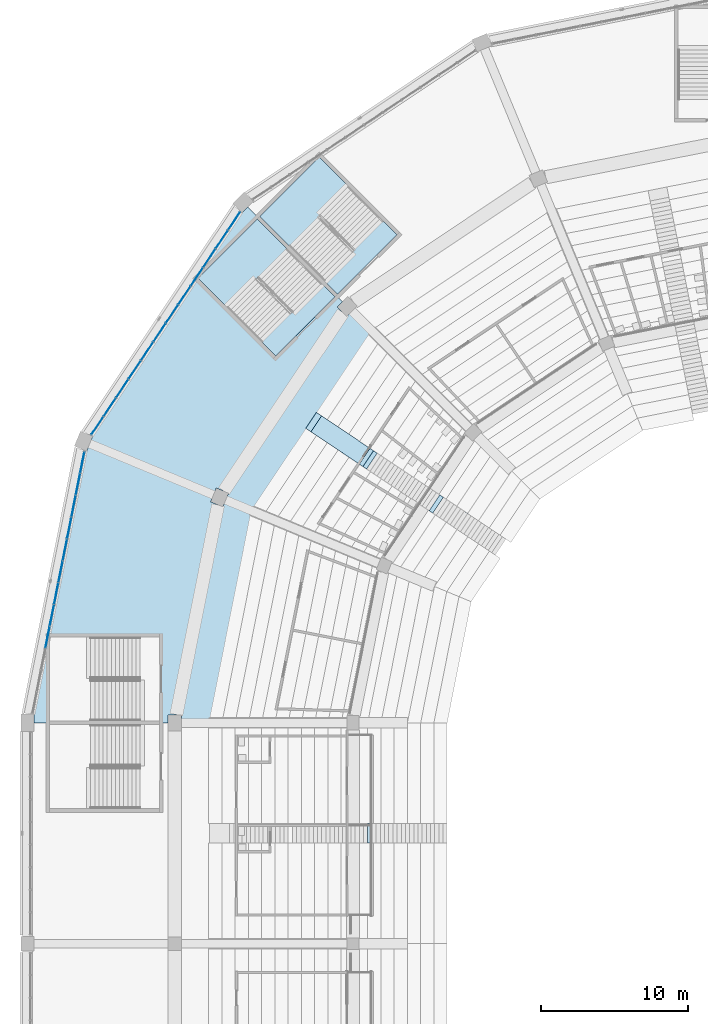
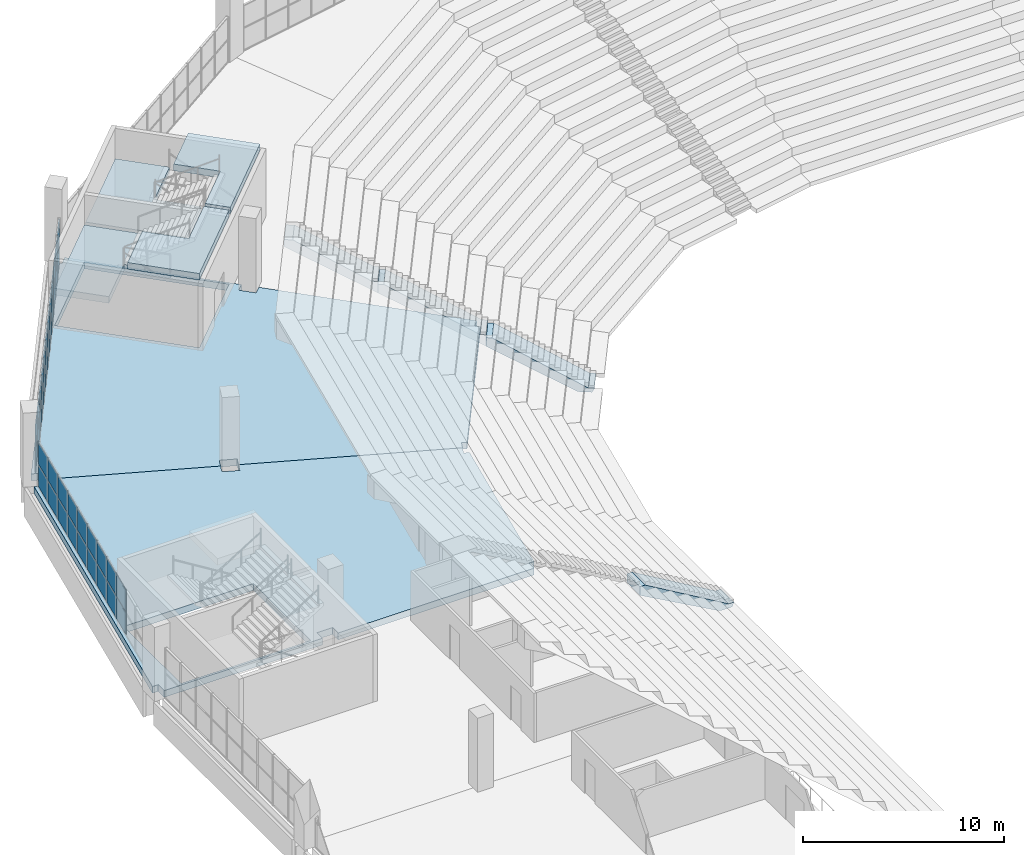
# One storey, part 76 of 249: 42 plates, 10 slabs, 4 elements without a shape of their own.
"""IFC4 building model written with IfcOpenShell, lengths in metres."""

from ifc_helpers import new_model, si_unit, direction, frame, origin, origin_2d, place, context, subcontext, project, spatial, polyline, rectangle, outline, extrude, material, layer, layer_set, type_object, element, aggregate, save


model = new_model("IFC4")

# Units and contexts
model_context = context("Model", 3, precision=1e-05, world=origin(), true_north=direction((0.0, 1.0)))
body_context = subcontext(model_context, "Body", "Model", "MODEL_VIEW")
ifc_project = project(units=[si_unit("LENGTHUNIT", "METRE"), si_unit("AREAUNIT", "SQUARE_METRE"), si_unit("VOLUMEUNIT", "CUBIC_METRE"), si_unit("PLANEANGLEUNIT", "RADIAN"), si_unit("MASSUNIT", "GRAM", prefix="KILO")], contexts=[model_context])

# Site, building, storey
site_placement = place(None, origin())
site = spatial("IfcSite", under=ifc_project, at=site_placement, CompositionType="ELEMENT")
building_placement = place(site_placement, origin())
building = spatial("IfcBuilding", under=site, at=building_placement, Name="Ogive Plaza Stadium", CompositionType="ELEMENT")
storey_placement = place(building_placement, frame((0.0, 0.0, 13.5)))
storey = spatial("IfcBuildingStorey", under=building, at=storey_placement, Name="L03", CompositionType="ELEMENT", Elevation=13.5)

# Slabs
ifc_material_1 = material(Name="Concrete C40/50", Category="concrete")
ifc_layer_1 = layer(ifc_material_1, 0.73486328125)
ifc_layer_set_1 = layer_set([ifc_layer_1], Name="Concrete C40/50")
ifc_layer_2 = layer(ifc_material_1, 0.449951171875)
ifc_layer_set_2 = layer_set([ifc_layer_2], Name="Concrete C40/50")
slab_type_1 = type_object("IfcSlabType", Name="Aisle stair slab 1300", PredefinedType="USERDEFINED", material=ifc_layer_set_2)
for number, where, z_axis, x_axis, name in (
    (1, (-55.5, 45.0, -13.5), (0.0, 0.0, 1.0), (-1.0, 0.0, 0.0), "Aisle stair SA27U slab 1"),
    (2, (-51.876708984375, 64.44482421875, -13.5), (0.0, 0.0, 1.0), (-0.831469612303, 0.55557023302, 0.0), "Aisle stair SA29U slab 1"),
):
    element("IfcSlab", number, at=place(storey_placement, frame(where, z_axis=z_axis, x_axis=x_axis)), inside=storey, type_object=slab_type_1, material=ifc_layer_set_1, Name=name, ObjectType="AISLE STAIR SLAB", PredefinedType="USERDEFINED", context=body_context, shape_type="SweptSolid", body=[
        extrude(outline(polyline([(0.0, 14.0), (0.2958984375, 14.0), (5.10009765625, 16.825927734375), (5.39990234375, 16.825927734375), (5.39990234375, 16.300048828125), (5.359375, 16.27734375), (5.209228515625, 16.194091796875), (5.059326171875, 16.110595703125), (4.9091796875, 16.02734375), (4.75927734375, 15.944091796875), (4.609375, 15.860595703125), (4.459228515625, 15.77734375), (4.309326171875, 15.694091796875), (4.1591796875, 15.610595703125), (4.00927734375, 15.52734375), (3.859375, 15.444091796875), (3.709228515625, 15.360595703125), (3.559326171875, 15.27734375), (3.4091796875, 15.194091796875), (3.25927734375, 15.110595703125), (3.109375, 15.02734375), (2.959228515625, 14.944091796875), (2.809326171875, 14.860595703125), (2.6591796875, 14.77734375), (2.50927734375, 14.694091796875), (2.359375, 14.610595703125), (2.209228515625, 14.52734375), (2.059326171875, 14.444091796875), (1.9091796875, 14.360595703125), (1.75927734375, 14.27734375), (1.609375, 14.194091796875), (1.459228515625, 14.110595703125), (1.309326171875, 14.02734375), (1.1591796875, 13.944091796875), (1.00927734375, 13.860595703125), (0.859375, 13.77734375), (0.709228515625, 13.75), (0.559326171875, 13.75), (0.4091796875, 13.75), (0.25927734375, 13.75), (0.109375, 13.75), (0.0, 14.0)])), frame((0.0, 0.64990234375, 0.0), z_axis=(0.0, -1.0, 0.0), x_axis=(1.0, 0.0, 0.0)), (0.0, 0.0, 1.0), 1.300048828125),
    ])
ifc_layer_3 = layer(ifc_material_1, 0.75927734375)
ifc_layer_set_3 = layer_set([ifc_layer_3], Name="Concrete C40/50")
slab_1_placement = place(storey_placement, frame((-56.366455078125, 67.44482421875, -13.5), z_axis=(0.0, 0.0, 1.0), x_axis=(-0.831469612303, 0.55557023302, 0.0)))
element("IfcSlab", 3, at=slab_1_placement, inside=storey, type_object=slab_type_1, material=ifc_layer_set_3, Name="Aisle stair SA29U slab 2", ObjectType="AISLE STAIR SLAB", PredefinedType="USERDEFINED", context=body_context, shape_type="SweptSolid", body=[
    extrude(outline(polyline([(0.0, 17.0), (0.2958984375, 17.0), (5.10009765625, 19.825927734375), (5.39990234375, 19.825927734375), (5.39990234375, 19.300048828125), (5.25, 19.216796875), (5.10009765625, 19.13330078125), (4.949951171875, 19.050048828125), (4.800048828125, 18.966796875), (4.64990234375, 18.88330078125), (4.5, 18.800048828125), (4.35009765625, 18.716796875), (4.199951171875, 18.63330078125), (4.050048828125, 18.550048828125), (3.89990234375, 18.466796875), (3.75, 18.38330078125), (3.60009765625, 18.300048828125), (3.449951171875, 18.216796875), (3.300048828125, 18.13330078125), (3.14990234375, 18.050048828125), (3.0, 17.966796875), (2.85009765625, 17.88330078125), (2.699951171875, 17.800048828125), (2.550048828125, 17.716796875), (2.39990234375, 17.63330078125), (2.25, 17.550048828125), (2.10009765625, 17.466796875), (1.949951171875, 17.38330078125), (1.800048828125, 17.300048828125), (1.64990234375, 17.216796875), (1.5, 17.13330078125), (1.35009765625, 17.050048828125), (1.199951171875, 16.966796875), (1.050048828125, 16.88330078125), (0.89990234375, 16.800048828125), (0.75, 16.716796875), (0.60009765625, 16.63330078125), (0.449951171875, 16.550048828125), (0.300048828125, 16.466796875), (0.14990234375, 16.38330078125), (0.0, 16.300048828125), (0.0, 17.0)])), frame((0.0, 0.64990234375, 0.0), z_axis=(0.0, -1.0, 0.0), x_axis=(1.0, 0.0, 0.0)), (0.0, 0.0, 1.0), 1.300048828125),
])
ifc_layer_4 = layer(ifc_material_1, 0.81640625)
ifc_layer_set_4 = layer_set([ifc_layer_4], Name="Concrete C40/50")
slab_2_placement = place(storey_placement, frame((-60.8564453125, 70.44482421875, -13.5), z_axis=(0.0, 0.0, 1.0), x_axis=(-0.831469612303, 0.55557023302, 0.0)))
element("IfcSlab", 4, at=slab_2_placement, inside=storey, type_object=slab_type_1, material=ifc_layer_set_4, Name="Aisle stair SA29U slab 3", ObjectType="AISLE STAIR SLAB", PredefinedType="USERDEFINED", context=body_context, shape_type="SweptSolid", body=[
    extrude(outline(polyline([(0.0, 20.0), (0.2958984375, 20.0), (4.25, 22.325927734375), (4.675537109375, 22.325927734375), (4.675537109375, 21.897705078125), (4.64990234375, 21.88330078125), (4.5, 21.800048828125), (4.35009765625, 21.716796875), (4.199951171875, 21.63330078125), (4.050048828125, 21.550048828125), (3.89990234375, 21.466796875), (3.75, 21.38330078125), (3.60009765625, 21.300048828125), (3.449951171875, 21.216796875), (3.300048828125, 21.13330078125), (3.14990234375, 21.050048828125), (3.0, 20.966796875), (2.85009765625, 20.88330078125), (2.699951171875, 20.800048828125), (2.550048828125, 20.716796875), (2.39990234375, 20.63330078125), (2.25, 20.550048828125), (2.10009765625, 20.466796875), (1.949951171875, 20.38330078125), (1.800048828125, 20.300048828125), (1.64990234375, 20.216796875), (1.5, 20.13330078125), (1.35009765625, 20.050048828125), (1.199951171875, 19.966796875), (1.050048828125, 19.88330078125), (0.89990234375, 19.800048828125), (0.75, 19.716796875), (0.60009765625, 19.63330078125), (0.449951171875, 19.550048828125), (0.300048828125, 19.466796875), (0.14990234375, 19.38330078125), (0.0, 19.300048828125), (0.0, 20.0)])), frame((0.0, 0.64990234375, 0.0), z_axis=(0.0, -1.0, 0.0), x_axis=(1.0, 0.0, 0.0)), (0.0, 0.0, 1.0), 1.300048828125),
])

# Curtain wall, plates
ifc_material_2 = material(Name="Bronze-anodised aluminium with laminated glass", Category="aluminium")
curtain_wall_type = type_object("IfcCurtainWallType", Name="Lancet curtain wall", PredefinedType="NOTDEFINED", material=ifc_material_2)
curtain_wall_1_placement = place(storey_placement, origin())
curtain_wall_1 = element("IfcCurtainWall", 5, at=curtain_wall_1_placement, inside=storey, type_object=curtain_wall_type, Name="CURTAIN WALL B28 L03", PredefinedType="NOTDEFINED")
ifc_material_3 = material(Name="Laminated glass", Category="glass")
ifc_layer_5 = layer(ifc_material_3, 0.028076171875)
ifc_layer_set_5 = layer_set([ifc_layer_5], Name="Laminated glass panel 28")
plate_type = type_object("IfcPlateType", Name="Laminated glass panel 28", PredefinedType="CURTAIN_PANEL", material=ifc_layer_set_5)
plate_1_placement = place(storey_placement, frame((-82.63916015625, 58.316162109375, 0.0498046875), z_axis=(0.0, 0.0, 1.0), x_axis=(0.195090322016, 0.980785280403, 0.0)))
plate_1 = element("IfcPlate", 6, at=plate_1_placement, type_object=plate_type, Name="CW-B28-L03 panel 4.1", PredefinedType="CURTAIN_PANEL", context=body_context, shape_type="SweptSolid", body=[
    extrude(rectangle(XDim=1.4638671875, YDim=0.028076171875, at=origin_2d()), origin(), (0.0, 0.0, 1.0), 1.320068359375),
])
plate_2_placement = place(storey_placement, frame((-82.63916015625, 58.316162109375, 1.419921875), z_axis=(0.0, 0.0, 1.0), x_axis=(0.195090322016, 0.980785280403, 0.0)))
plate_2 = element("IfcPlate", 7, at=plate_2_placement, type_object=plate_type, Name="CW-B28-L03 panel 4.2", PredefinedType="CURTAIN_PANEL", context=body_context, shape_type="SweptSolid", body=[
    extrude(rectangle(XDim=1.4638671875, YDim=0.028076171875, at=origin_2d()), origin(), (0.0, 0.0, 1.0), 1.320068359375),
])
plate_3_placement = place(storey_placement, frame((-82.34375, 59.801025390625, 0.0498046875), z_axis=(0.0, 0.0, 1.0), x_axis=(0.195090322016, 0.980785280403, 0.0)))
plate_3 = element("IfcPlate", 8, at=plate_3_placement, type_object=plate_type, Name="CW-B28-L03 panel 5.1", PredefinedType="CURTAIN_PANEL", context=body_context, shape_type="SweptSolid", body=[
    extrude(rectangle(XDim=1.4638671875, YDim=0.028076171875, at=origin_2d()), origin(), (0.0, 0.0, 1.0), 1.320068359375),
])
plate_4_placement = place(storey_placement, frame((-82.34375, 59.801025390625, 1.419921875), z_axis=(0.0, 0.0, 1.0), x_axis=(0.195090322016, 0.980785280403, 0.0)))
plate_4 = element("IfcPlate", 9, at=plate_4_placement, type_object=plate_type, Name="CW-B28-L03 panel 5.2", PredefinedType="CURTAIN_PANEL", context=body_context, shape_type="SweptSolid", body=[
    extrude(rectangle(XDim=1.4638671875, YDim=0.028076171875, at=origin_2d()), origin(), (0.0, 0.0, 1.0), 1.320068359375),
])
plate_5_placement = place(storey_placement, frame((-82.048583984375, 61.28564453125, 0.0498046875), z_axis=(0.0, 0.0, 1.0), x_axis=(0.195090322016, 0.980785280403, 0.0)))
plate_5 = element("IfcPlate", 10, at=plate_5_placement, type_object=plate_type, Name="CW-B28-L03 panel 6.1", PredefinedType="CURTAIN_PANEL", context=body_context, shape_type="SweptSolid", body=[
    extrude(rectangle(XDim=1.4638671875, YDim=0.028076171875, at=origin_2d()), origin(), (0.0, 0.0, 1.0), 1.320068359375),
])
plate_6_placement = place(storey_placement, frame((-82.048583984375, 61.28564453125, 1.419921875), z_axis=(0.0, 0.0, 1.0), x_axis=(0.195090322016, 0.980785280403, 0.0)))
plate_6 = element("IfcPlate", 11, at=plate_6_placement, type_object=plate_type, Name="CW-B28-L03 panel 6.2", PredefinedType="CURTAIN_PANEL", context=body_context, shape_type="SweptSolid", body=[
    extrude(rectangle(XDim=1.4638671875, YDim=0.028076171875, at=origin_2d()), origin(), (0.0, 0.0, 1.0), 1.320068359375),
])
plate_7_placement = place(storey_placement, frame((-81.753173828125, 62.7705078125, 0.0498046875), z_axis=(0.0, 0.0, 1.0), x_axis=(0.195090322016, 0.980785280403, 0.0)))
plate_7 = element("IfcPlate", 12, at=plate_7_placement, type_object=plate_type, Name="CW-B28-L03 panel 7.1", PredefinedType="CURTAIN_PANEL", context=body_context, shape_type="SweptSolid", body=[
    extrude(rectangle(XDim=1.4638671875, YDim=0.028076171875, at=origin_2d()), origin(), (0.0, 0.0, 1.0), 1.320068359375),
])
plate_8_placement = place(storey_placement, frame((-81.753173828125, 62.7705078125, 1.419921875), z_axis=(0.0, 0.0, 1.0), x_axis=(0.195090322016, 0.980785280403, 0.0)))
plate_8 = element("IfcPlate", 13, at=plate_8_placement, type_object=plate_type, Name="CW-B28-L03 panel 7.2", PredefinedType="CURTAIN_PANEL", context=body_context, shape_type="SweptSolid", body=[
    extrude(rectangle(XDim=1.4638671875, YDim=0.028076171875, at=origin_2d()), origin(), (0.0, 0.0, 1.0), 1.320068359375),
])
plate_9_placement = place(storey_placement, frame((-81.457763671875, 64.255126953125, 0.0498046875), z_axis=(0.0, 0.0, 1.0), x_axis=(0.195090322016, 0.980785280403, 0.0)))
plate_9 = element("IfcPlate", 14, at=plate_9_placement, type_object=plate_type, Name="CW-B28-L03 panel 8.1", PredefinedType="CURTAIN_PANEL", context=body_context, shape_type="SweptSolid", body=[
    extrude(rectangle(XDim=1.4638671875, YDim=0.028076171875, at=origin_2d()), origin(), (0.0, 0.0, 1.0), 1.320068359375),
])
plate_10_placement = place(storey_placement, frame((-81.457763671875, 64.255126953125, 1.419921875), z_axis=(0.0, 0.0, 1.0), x_axis=(0.195090322016, 0.980785280403, 0.0)))
plate_10 = element("IfcPlate", 15, at=plate_10_placement, type_object=plate_type, Name="CW-B28-L03 panel 8.2", PredefinedType="CURTAIN_PANEL", context=body_context, shape_type="SweptSolid", body=[
    extrude(rectangle(XDim=1.4638671875, YDim=0.028076171875, at=origin_2d()), origin(), (0.0, 0.0, 1.0), 1.320068359375),
])
plate_11_placement = place(storey_placement, frame((-81.16259765625, 65.739990234375, 0.0498046875), z_axis=(0.0, 0.0, 1.0), x_axis=(0.195090322016, 0.980785280403, 0.0)))
plate_11 = element("IfcPlate", 16, at=plate_11_placement, type_object=plate_type, Name="CW-B28-L03 panel 9.1", PredefinedType="CURTAIN_PANEL", context=body_context, shape_type="SweptSolid", body=[
    extrude(rectangle(XDim=1.4638671875, YDim=0.028076171875, at=origin_2d()), origin(), (0.0, 0.0, 1.0), 1.320068359375),
])
plate_12_placement = place(storey_placement, frame((-81.16259765625, 65.739990234375, 1.419921875), z_axis=(0.0, 0.0, 1.0), x_axis=(0.195090322016, 0.980785280403, 0.0)))
plate_12 = element("IfcPlate", 17, at=plate_12_placement, type_object=plate_type, Name="CW-B28-L03 panel 9.2", PredefinedType="CURTAIN_PANEL", context=body_context, shape_type="SweptSolid", body=[
    extrude(rectangle(XDim=1.4638671875, YDim=0.028076171875, at=origin_2d()), origin(), (0.0, 0.0, 1.0), 1.320068359375),
])
plate_13_placement = place(storey_placement, frame((-80.8671875, 67.224609375, 0.0498046875), z_axis=(0.0, 0.0, 1.0), x_axis=(0.195090322016, 0.980785280403, 0.0)))
plate_13 = element("IfcPlate", 18, at=plate_13_placement, type_object=plate_type, Name="CW-B28-L03 panel 10.1", PredefinedType="CURTAIN_PANEL", context=body_context, shape_type="SweptSolid", body=[
    extrude(rectangle(XDim=1.4638671875, YDim=0.028076171875, at=origin_2d()), origin(), (0.0, 0.0, 1.0), 1.320068359375),
])
plate_14_placement = place(storey_placement, frame((-80.8671875, 67.224609375, 1.419921875), z_axis=(0.0, 0.0, 1.0), x_axis=(0.195090322016, 0.980785280403, 0.0)))
plate_14 = element("IfcPlate", 19, at=plate_14_placement, type_object=plate_type, Name="CW-B28-L03 panel 10.2", PredefinedType="CURTAIN_PANEL", context=body_context, shape_type="SweptSolid", body=[
    extrude(rectangle(XDim=1.4638671875, YDim=0.028076171875, at=origin_2d()), origin(), (0.0, 0.0, 1.0), 1.320068359375),
])
plate_15_placement = place(storey_placement, frame((-80.57177734375, 68.70947265625, 0.0498046875), z_axis=(0.0, 0.0, 1.0), x_axis=(0.195090322016, 0.980785280403, 0.0)))
plate_15 = element("IfcPlate", 20, at=plate_15_placement, type_object=plate_type, Name="CW-B28-L03 panel 11.1", PredefinedType="CURTAIN_PANEL", context=body_context, shape_type="SweptSolid", body=[
    extrude(rectangle(XDim=1.4638671875, YDim=0.028076171875, at=origin_2d()), origin(), (0.0, 0.0, 1.0), 1.320068359375),
])
plate_16_placement = place(storey_placement, frame((-80.57177734375, 68.70947265625, 1.419921875), z_axis=(0.0, 0.0, 1.0), x_axis=(0.195090322016, 0.980785280403, 0.0)))
plate_16 = element("IfcPlate", 21, at=plate_16_placement, type_object=plate_type, Name="CW-B28-L03 panel 11.2", PredefinedType="CURTAIN_PANEL", context=body_context, shape_type="SweptSolid", body=[
    extrude(rectangle(XDim=1.4638671875, YDim=0.028076171875, at=origin_2d()), origin(), (0.0, 0.0, 1.0), 1.320068359375),
])
plate_17_placement = place(storey_placement, frame((-80.27880859375, 70.181884765625, 0.0498046875), z_axis=(0.0, 0.0, 1.0), x_axis=(0.195090322016, 0.980785280403, 0.0)))
plate_17 = element("IfcPlate", 22, at=plate_17_placement, type_object=plate_type, Name="CW-B28-L03 panel 12.1", PredefinedType="CURTAIN_PANEL", context=body_context, shape_type="SweptSolid", body=[
    extrude(rectangle(XDim=1.43896484375, YDim=0.028076171875, at=origin_2d()), origin(), (0.0, 0.0, 1.0), 1.320068359375),
])
plate_18_placement = place(storey_placement, frame((-80.27880859375, 70.181884765625, 1.419921875), z_axis=(0.0, 0.0, 1.0), x_axis=(0.195090322016, 0.980785280403, 0.0)))
plate_18 = element("IfcPlate", 23, at=plate_18_placement, type_object=plate_type, Name="CW-B28-L03 panel 12.2", PredefinedType="CURTAIN_PANEL", context=body_context, shape_type="SweptSolid", body=[
    extrude(rectangle(XDim=1.43896484375, YDim=0.028076171875, at=origin_2d()), origin(), (0.0, 0.0, 1.0), 1.320068359375),
])
aggregate(curtain_wall_1, [plate_1, plate_2, plate_3, plate_4, plate_5, plate_6, plate_7, plate_8, plate_9, plate_10, plate_11, plate_12, plate_13, plate_14, plate_15, plate_16, plate_17, plate_18])

curtain_wall_2_placement = place(storey_placement, origin())
curtain_wall_2 = element("IfcCurtainWall", 24, at=curtain_wall_2_placement, inside=storey, type_object=curtain_wall_type, Name="CURTAIN WALL B29 L03", PredefinedType="NOTDEFINED")
plate_19_placement = place(storey_placement, frame((-79.253173828125, 72.68212890625, 0.0498046875), z_axis=(0.0, 0.0, 1.0), x_axis=(0.55557023302, 0.831469612303, 0.0)))
plate_19 = element("IfcPlate", 25, at=plate_19_placement, type_object=plate_type, Name="CW-B29-L03 panel 1.1", PredefinedType="CURTAIN_PANEL", context=body_context, shape_type="SweptSolid", body=[
    extrude(rectangle(XDim=1.447265625, YDim=0.028076171875, at=origin_2d()), origin(), (0.0, 0.0, 1.0), 1.320068359375),
])
plate_20_placement = place(storey_placement, frame((-79.253173828125, 72.68212890625, 1.419921875), z_axis=(0.0, 0.0, 1.0), x_axis=(0.55557023302, 0.831469612303, 0.0)))
plate_20 = element("IfcPlate", 26, at=plate_20_placement, type_object=plate_type, Name="CW-B29-L03 panel 1.2", PredefinedType="CURTAIN_PANEL", context=body_context, shape_type="SweptSolid", body=[
    extrude(rectangle(XDim=1.447265625, YDim=0.028076171875, at=origin_2d()), origin(), (0.0, 0.0, 1.0), 1.320068359375),
])
plate_21_placement = place(storey_placement, frame((-78.414306640625, 73.9375, 0.0498046875), z_axis=(0.0, 0.0, 1.0), x_axis=(0.55557023302, 0.831469612303, 0.0)))
plate_21 = element("IfcPlate", 27, at=plate_21_placement, type_object=plate_type, Name="CW-B29-L03 panel 2.1", PredefinedType="CURTAIN_PANEL", context=body_context, shape_type="SweptSolid", body=[
    extrude(rectangle(XDim=1.472412109375, YDim=0.028076171875, at=origin_2d()), origin(), (0.0, 0.0, 1.0), 1.320068359375),
])
plate_22_placement = place(storey_placement, frame((-78.414306640625, 73.9375, 1.419921875), z_axis=(0.0, 0.0, 1.0), x_axis=(0.55557023302, 0.831469612303, 0.0)))
plate_22 = element("IfcPlate", 28, at=plate_22_placement, type_object=plate_type, Name="CW-B29-L03 panel 2.2", PredefinedType="CURTAIN_PANEL", context=body_context, shape_type="SweptSolid", body=[
    extrude(rectangle(XDim=1.472412109375, YDim=0.028076171875, at=origin_2d()), origin(), (0.0, 0.0, 1.0), 1.320068359375),
])
plate_23_placement = place(storey_placement, frame((-77.568603515625, 75.203369140625, 0.0498046875), z_axis=(0.0, 0.0, 1.0), x_axis=(0.55557023302, 0.831469612303, 0.0)))
plate_23 = element("IfcPlate", 29, at=plate_23_placement, type_object=plate_type, Name="CW-B29-L03 panel 3.1", PredefinedType="CURTAIN_PANEL", context=body_context, shape_type="SweptSolid", body=[
    extrude(rectangle(XDim=1.472412109375, YDim=0.028076171875, at=origin_2d()), origin(), (0.0, 0.0, 1.0), 1.320068359375),
])
plate_24_placement = place(storey_placement, frame((-77.568603515625, 75.203369140625, 1.419921875), z_axis=(0.0, 0.0, 1.0), x_axis=(0.55557023302, 0.831469612303, 0.0)))
plate_24 = element("IfcPlate", 30, at=plate_24_placement, type_object=plate_type, Name="CW-B29-L03 panel 3.2", PredefinedType="CURTAIN_PANEL", context=body_context, shape_type="SweptSolid", body=[
    extrude(rectangle(XDim=1.472412109375, YDim=0.028076171875, at=origin_2d()), origin(), (0.0, 0.0, 1.0), 1.320068359375),
])
plate_25_placement = place(storey_placement, frame((-76.722900390625, 76.46923828125, 0.0498046875), z_axis=(0.0, 0.0, 1.0), x_axis=(0.55557023302, 0.831469612303, 0.0)))
plate_25 = element("IfcPlate", 31, at=plate_25_placement, type_object=plate_type, Name="CW-B29-L03 panel 4.1", PredefinedType="CURTAIN_PANEL", context=body_context, shape_type="SweptSolid", body=[
    extrude(rectangle(XDim=1.472412109375, YDim=0.028076171875, at=origin_2d()), origin(), (0.0, 0.0, 1.0), 1.320068359375),
])
plate_26_placement = place(storey_placement, frame((-76.722900390625, 76.46923828125, 1.419921875), z_axis=(0.0, 0.0, 1.0), x_axis=(0.55557023302, 0.831469612303, 0.0)))
plate_26 = element("IfcPlate", 32, at=plate_26_placement, type_object=plate_type, Name="CW-B29-L03 panel 4.2", PredefinedType="CURTAIN_PANEL", context=body_context, shape_type="SweptSolid", body=[
    extrude(rectangle(XDim=1.472412109375, YDim=0.028076171875, at=origin_2d()), origin(), (0.0, 0.0, 1.0), 1.320068359375),
])
plate_27_placement = place(storey_placement, frame((-75.876953125, 77.73486328125, 0.0498046875), z_axis=(0.0, 0.0, 1.0), x_axis=(0.55557023302, 0.831469612303, 0.0)))
plate_27 = element("IfcPlate", 33, at=plate_27_placement, type_object=plate_type, Name="CW-B29-L03 panel 5.1", PredefinedType="CURTAIN_PANEL", context=body_context, shape_type="SweptSolid", body=[
    extrude(rectangle(XDim=1.472412109375, YDim=0.028076171875, at=origin_2d()), origin(), (0.0, 0.0, 1.0), 1.320068359375),
])
plate_28_placement = place(storey_placement, frame((-75.876953125, 77.73486328125, 1.419921875), z_axis=(0.0, 0.0, 1.0), x_axis=(0.55557023302, 0.831469612303, 0.0)))
plate_28 = element("IfcPlate", 34, at=plate_28_placement, type_object=plate_type, Name="CW-B29-L03 panel 5.2", PredefinedType="CURTAIN_PANEL", context=body_context, shape_type="SweptSolid", body=[
    extrude(rectangle(XDim=1.472412109375, YDim=0.028076171875, at=origin_2d()), origin(), (0.0, 0.0, 1.0), 1.320068359375),
])
plate_29_placement = place(storey_placement, frame((-75.03125, 79.000732421875, 0.0498046875), z_axis=(0.0, 0.0, 1.0), x_axis=(0.55557023302, 0.831469612303, 0.0)))
plate_29 = element("IfcPlate", 35, at=plate_29_placement, type_object=plate_type, Name="CW-B29-L03 panel 6.1", PredefinedType="CURTAIN_PANEL", context=body_context, shape_type="SweptSolid", body=[
    extrude(rectangle(XDim=1.472412109375, YDim=0.028076171875, at=origin_2d()), origin(), (0.0, 0.0, 1.0), 1.320068359375),
])
plate_30_placement = place(storey_placement, frame((-75.03125, 79.000732421875, 1.419921875), z_axis=(0.0, 0.0, 1.0), x_axis=(0.55557023302, 0.831469612303, 0.0)))
plate_30 = element("IfcPlate", 36, at=plate_30_placement, type_object=plate_type, Name="CW-B29-L03 panel 6.2", PredefinedType="CURTAIN_PANEL", context=body_context, shape_type="SweptSolid", body=[
    extrude(rectangle(XDim=1.472412109375, YDim=0.028076171875, at=origin_2d()), origin(), (0.0, 0.0, 1.0), 1.320068359375),
])
plate_31_placement = place(storey_placement, frame((-74.185546875, 80.2666015625, 0.0498046875), z_axis=(0.0, 0.0, 1.0), x_axis=(0.55557023302, 0.831469612303, 0.0)))
plate_31 = element("IfcPlate", 37, at=plate_31_placement, type_object=plate_type, Name="CW-B29-L03 panel 7.1", PredefinedType="CURTAIN_PANEL", context=body_context, shape_type="SweptSolid", body=[
    extrude(rectangle(XDim=1.472412109375, YDim=0.028076171875, at=origin_2d()), origin(), (0.0, 0.0, 1.0), 1.320068359375),
])
plate_32_placement = place(storey_placement, frame((-74.185546875, 80.2666015625, 1.419921875), z_axis=(0.0, 0.0, 1.0), x_axis=(0.55557023302, 0.831469612303, 0.0)))
plate_32 = element("IfcPlate", 38, at=plate_32_placement, type_object=plate_type, Name="CW-B29-L03 panel 7.2", PredefinedType="CURTAIN_PANEL", context=body_context, shape_type="SweptSolid", body=[
    extrude(rectangle(XDim=1.472412109375, YDim=0.028076171875, at=origin_2d()), origin(), (0.0, 0.0, 1.0), 1.320068359375),
])
plate_33_placement = place(storey_placement, frame((-73.339599609375, 81.5322265625, 0.0498046875), z_axis=(0.0, 0.0, 1.0), x_axis=(0.55557023302, 0.831469612303, 0.0)))
plate_33 = element("IfcPlate", 39, at=plate_33_placement, type_object=plate_type, Name="CW-B29-L03 panel 8.1", PredefinedType="CURTAIN_PANEL", context=body_context, shape_type="SweptSolid", body=[
    extrude(rectangle(XDim=1.472412109375, YDim=0.028076171875, at=origin_2d()), origin(), (0.0, 0.0, 1.0), 1.320068359375),
])
plate_34_placement = place(storey_placement, frame((-73.339599609375, 81.5322265625, 1.419921875), z_axis=(0.0, 0.0, 1.0), x_axis=(0.55557023302, 0.831469612303, 0.0)))
plate_34 = element("IfcPlate", 40, at=plate_34_placement, type_object=plate_type, Name="CW-B29-L03 panel 8.2", PredefinedType="CURTAIN_PANEL", context=body_context, shape_type="SweptSolid", body=[
    extrude(rectangle(XDim=1.472412109375, YDim=0.028076171875, at=origin_2d()), origin(), (0.0, 0.0, 1.0), 1.320068359375),
])
plate_35_placement = place(storey_placement, frame((-72.493896484375, 82.798095703125, 0.0498046875), z_axis=(0.0, 0.0, 1.0), x_axis=(0.55557023302, 0.831469612303, 0.0)))
plate_35 = element("IfcPlate", 41, at=plate_35_placement, type_object=plate_type, Name="CW-B29-L03 panel 9.1", PredefinedType="CURTAIN_PANEL", context=body_context, shape_type="SweptSolid", body=[
    extrude(rectangle(XDim=1.472412109375, YDim=0.028076171875, at=origin_2d()), origin(), (0.0, 0.0, 1.0), 1.320068359375),
])
plate_36_placement = place(storey_placement, frame((-72.493896484375, 82.798095703125, 1.419921875), z_axis=(0.0, 0.0, 1.0), x_axis=(0.55557023302, 0.831469612303, 0.0)))
plate_36 = element("IfcPlate", 42, at=plate_36_placement, type_object=plate_type, Name="CW-B29-L03 panel 9.2", PredefinedType="CURTAIN_PANEL", context=body_context, shape_type="SweptSolid", body=[
    extrude(rectangle(XDim=1.472412109375, YDim=0.028076171875, at=origin_2d()), origin(), (0.0, 0.0, 1.0), 1.320068359375),
])
plate_37_placement = place(storey_placement, frame((-71.648193359375, 84.06396484375, 0.0498046875), z_axis=(0.0, 0.0, 1.0), x_axis=(0.55557023302, 0.831469612303, 0.0)))
plate_37 = element("IfcPlate", 43, at=plate_37_placement, type_object=plate_type, Name="CW-B29-L03 panel 10.1", PredefinedType="CURTAIN_PANEL", context=body_context, shape_type="SweptSolid", body=[
    extrude(rectangle(XDim=1.472412109375, YDim=0.028076171875, at=origin_2d()), origin(), (0.0, 0.0, 1.0), 1.320068359375),
])
plate_38_placement = place(storey_placement, frame((-71.648193359375, 84.06396484375, 1.419921875), z_axis=(0.0, 0.0, 1.0), x_axis=(0.55557023302, 0.831469612303, 0.0)))
plate_38 = element("IfcPlate", 44, at=plate_38_placement, type_object=plate_type, Name="CW-B29-L03 panel 10.2", PredefinedType="CURTAIN_PANEL", context=body_context, shape_type="SweptSolid", body=[
    extrude(rectangle(XDim=1.472412109375, YDim=0.028076171875, at=origin_2d()), origin(), (0.0, 0.0, 1.0), 1.320068359375),
])
plate_39_placement = place(storey_placement, frame((-70.802490234375, 85.32958984375, 0.0498046875), z_axis=(0.0, 0.0, 1.0), x_axis=(0.55557023302, 0.831469612303, 0.0)))
plate_39 = element("IfcPlate", 45, at=plate_39_placement, type_object=plate_type, Name="CW-B29-L03 panel 11.1", PredefinedType="CURTAIN_PANEL", context=body_context, shape_type="SweptSolid", body=[
    extrude(rectangle(XDim=1.472412109375, YDim=0.028076171875, at=origin_2d()), origin(), (0.0, 0.0, 1.0), 1.320068359375),
])
plate_40_placement = place(storey_placement, frame((-70.802490234375, 85.32958984375, 1.419921875), z_axis=(0.0, 0.0, 1.0), x_axis=(0.55557023302, 0.831469612303, 0.0)))
plate_40 = element("IfcPlate", 46, at=plate_40_placement, type_object=plate_type, Name="CW-B29-L03 panel 11.2", PredefinedType="CURTAIN_PANEL", context=body_context, shape_type="SweptSolid", body=[
    extrude(rectangle(XDim=1.472412109375, YDim=0.028076171875, at=origin_2d()), origin(), (0.0, 0.0, 1.0), 1.320068359375),
])
plate_41_placement = place(storey_placement, frame((-69.963623046875, 86.5849609375, 0.0498046875), z_axis=(0.0, 0.0, 1.0), x_axis=(0.55557023302, 0.831469612303, 0.0)))
plate_41 = element("IfcPlate", 47, at=plate_41_placement, type_object=plate_type, Name="CW-B29-L03 panel 12.1", PredefinedType="CURTAIN_PANEL", context=body_context, shape_type="SweptSolid", body=[
    extrude(rectangle(XDim=1.447265625, YDim=0.028076171875, at=origin_2d()), origin(), (0.0, 0.0, 1.0), 1.320068359375),
])
plate_42_placement = place(storey_placement, frame((-69.963623046875, 86.5849609375, 1.419921875), z_axis=(0.0, 0.0, 1.0), x_axis=(0.55557023302, 0.831469612303, 0.0)))
plate_42 = element("IfcPlate", 48, at=plate_42_placement, type_object=plate_type, Name="CW-B29-L03 panel 12.2", PredefinedType="CURTAIN_PANEL", context=body_context, shape_type="SweptSolid", body=[
    extrude(rectangle(XDim=1.447265625, YDim=0.028076171875, at=origin_2d()), origin(), (0.0, 0.0, 1.0), 1.320068359375),
])
aggregate(curtain_wall_2, [plate_19, plate_20, plate_21, plate_22, plate_23, plate_24, plate_25, plate_26, plate_27, plate_28, plate_29, plate_30, plate_31, plate_32, plate_33, plate_34, plate_35, plate_36, plate_37, plate_38, plate_39, plate_40, plate_41, plate_42])

# Slabs
ifc_material_4 = material(Name="Concrete C40/50", Category="concrete")
ifc_layer_6 = layer(ifc_material_4, 0.409912109375)
ifc_layer_set_6 = layer_set([ifc_layer_6], Name="Concrete C40/50")
slab_type_2 = type_object("IfcSlabType", Name="RC floor slab 410", PredefinedType="FLOOR", material=ifc_layer_set_6)
slab_3_placement = place(storey_placement, frame((0.0, 0.0, -0.409912109375)))
element("IfcSlab", 49, at=slab_3_placement, inside=storey, type_object=slab_type_2, Name="Floor slab L03 B28", PredefinedType="FLOOR", context=body_context, shape_type="SweptSolid", body=[
    extrude(outline(polyline([(-70.53955078125, 67.635009765625), (-70.730712890625, 67.173095703125), (-71.562255859375, 67.517578125), (-71.370849609375, 67.9794921875), (-79.7783203125, 71.4619140625), (-79.98876953125, 70.953857421875), (-80.303466796875, 71.084228515625), (-83.880615234375, 53.10009765625), (-83.550048828125, 53.10009765625), (-83.550048828125, 52.5), (-74.449951171875, 52.5), (-74.449951171875, 53.050048828125), (-73.550048828125, 53.050048828125), (-73.550048828125, 52.5), (-62.300048828125, 52.5), (-62.300048828125, 53.0), (-62.00048828125, 53.0), (-60.050537109375, 62.803466796875), (-60.318115234375, 62.914306640625), (-60.145751953125, 63.329833984375), (-70.53955078125, 67.635009765625)]), holes=[polyline([(-75.050048828125, 58.324951171875), (-82.510009765625, 58.324951171875), (-82.510009765625, 52.625), (-75.050048828125, 52.625), (-75.050048828125, 58.324951171875)])]), origin(), (0.0, 0.0, 1.0), 0.409912109375),
])
slab_4_placement = place(storey_placement, frame((0.0, 0.0, -0.409912109375)))
element("IfcSlab", 50, at=slab_4_placement, inside=storey, type_object=slab_type_2, Name="Floor slab L03 B29", PredefinedType="FLOOR", context=body_context, shape_type="SweptSolid", body=[
    extrude(outline(polyline([(-61.966064453125, 80.466064453125), (-62.319580078125, 80.112548828125), (-62.9560546875, 80.7490234375), (-62.6025390625, 81.1025390625), (-69.037109375, 87.537109375), (-69.426025390625, 87.148193359375), (-69.6669921875, 87.38916015625), (-79.88232421875, 72.100341796875), (-79.56787109375, 71.97021484375), (-79.7783203125, 71.4619140625), (-71.370849609375, 67.9794921875), (-71.1796875, 68.44140625), (-70.34814453125, 68.09716796875), (-70.53955078125, 67.635009765625), (-60.145751953125, 63.329833984375), (-59.9736328125, 63.74560546875), (-59.7060546875, 63.635009765625), (-54.12451171875, 71.98828125), (-54.329345703125, 72.19287109375), (-54.01123046875, 72.51123046875), (-61.966064453125, 80.466064453125)]), holes=[polyline([(-67.145751953125, 77.40771484375), (-63.115234375, 81.438232421875), (-68.39013671875, 86.71337890625), (-72.420654296875, 82.682861328125), (-67.145751953125, 77.40771484375)])]), origin(), (0.0, 0.0, 1.0), 0.409912109375),
])

# Stair, slabs
ifc_material_5 = material(Name="Concrete C40/50", Category="concrete")
stair_type = type_object("IfcStairType", Name="Exit stair", PredefinedType="STRAIGHT_RUN_STAIR", material=ifc_material_5)
stair_1_placement = place(storey_placement, origin())
stair_1 = element("IfcStair", 51, at=stair_1_placement, inside=storey, type_object=stair_type, Name="Exit stair ST30A L03 to L04", PredefinedType="STRAIGHT_RUN_STAIR")
ifc_material_6 = material(Name="Concrete C40/50", Category="concrete")
ifc_layer_7 = layer(ifc_material_6, 0.39990234375)
ifc_layer_set_7 = layer_set([ifc_layer_7], Name="Concrete C40/50")
slab_type_3 = type_object("IfcSlabType", Name="Stair landing", PredefinedType="LANDING", material=ifc_layer_set_7)
slab_5_placement = place(storey_placement, frame((0.0, 0.0, 1.85009765625)))
slab_5 = element("IfcSlab", 52, at=slab_5_placement, type_object=slab_type_3, Name="ST30A landing 1", PredefinedType="LANDING", context=body_context, shape_type="SweptSolid", body=[
    extrude(outline(polyline([(-68.21337890625, 86.89013671875), (-64.182861328125, 90.920654296875), (-62.202880859375, 88.940673828125), (-64.253662109375, 86.89013671875), (-62.556396484375, 85.193115234375), (-64.536376953125, 83.213134765625), (-66.2333984375, 84.91015625), (-68.21337890625, 86.89013671875)])), origin(), (0.0, 0.0, 1.0), 0.39990234375),
])
slab_6_placement = place(storey_placement, frame((0.0, 0.0, 4.10009765625)))
slab_6 = element("IfcSlab", 53, at=slab_6_placement, type_object=slab_type_3, Name="ST30A landing 2", PredefinedType="LANDING", context=body_context, shape_type="SweptSolid", body=[
    extrude(outline(polyline([(-63.504150390625, 86.281982421875), (-61.524169921875, 88.261962890625), (-59.8271484375, 86.56494140625), (-58.90771484375, 85.645751953125), (-62.938232421875, 81.615234375), (-63.857666015625, 82.534423828125), (-61.806884765625, 84.5849609375), (-63.504150390625, 86.281982421875)])), origin(), (0.0, 0.0, 1.0), 0.39990234375),
])
aggregate(stair_1, [slab_5, slab_6])

stair_2_placement = place(storey_placement, origin())
stair_2 = element("IfcStair", 54, at=stair_2_placement, inside=storey, type_object=stair_type, Name="Exit stair ST30B L03 to L04", PredefinedType="STRAIGHT_RUN_STAIR")
slab_7_placement = place(storey_placement, frame((0.0, 0.0, 1.85009765625)))
slab_7 = element("IfcSlab", 55, at=slab_7_placement, type_object=slab_type_3, Name="ST30B landing 1", PredefinedType="LANDING", context=body_context, shape_type="SweptSolid", body=[
    extrude(outline(polyline([(-64.713134765625, 83.036376953125), (-66.693115234375, 81.056396484375), (-68.39013671875, 82.753662109375), (-70.440673828125, 80.702880859375), (-72.420654296875, 82.682861328125), (-68.39013671875, 86.71337890625), (-66.41015625, 84.7333984375), (-64.713134765625, 83.036376953125)])), origin(), (0.0, 0.0, 1.0), 0.39990234375),
])
slab_8_placement = place(storey_placement, frame((0.0, 0.0, 4.10009765625)))
slab_8 = element("IfcSlab", 56, at=slab_8_placement, type_object=slab_type_3, Name="ST30B landing 2", PredefinedType="LANDING", context=body_context, shape_type="SweptSolid", body=[
    extrude(outline(polyline([(-64.034423828125, 82.357666015625), (-63.115234375, 81.438232421875), (-67.145751953125, 77.40771484375), (-68.06494140625, 78.3271484375), (-69.761962890625, 80.024169921875), (-67.781982421875, 82.004150390625), (-66.0849609375, 80.306884765625), (-64.034423828125, 82.357666015625)])), origin(), (0.0, 0.0, 1.0), 0.39990234375),
])
aggregate(stair_2, [slab_7, slab_8])

save(model, "model.ifc")
